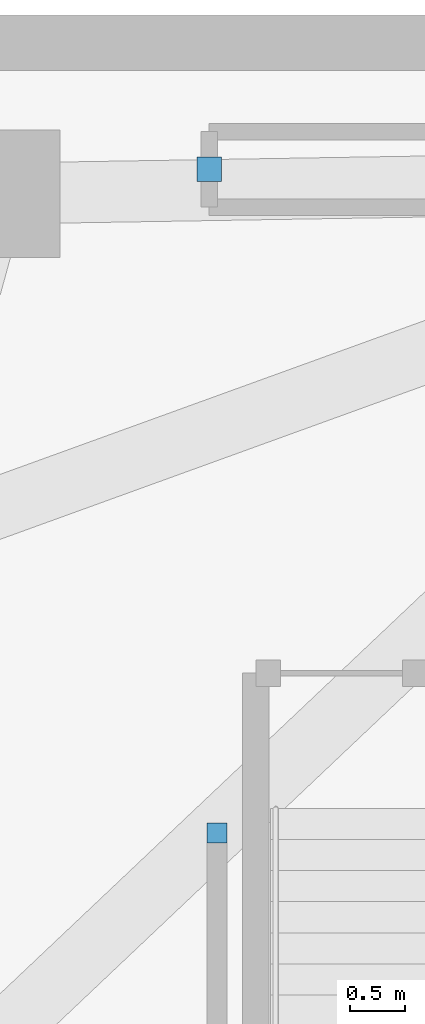
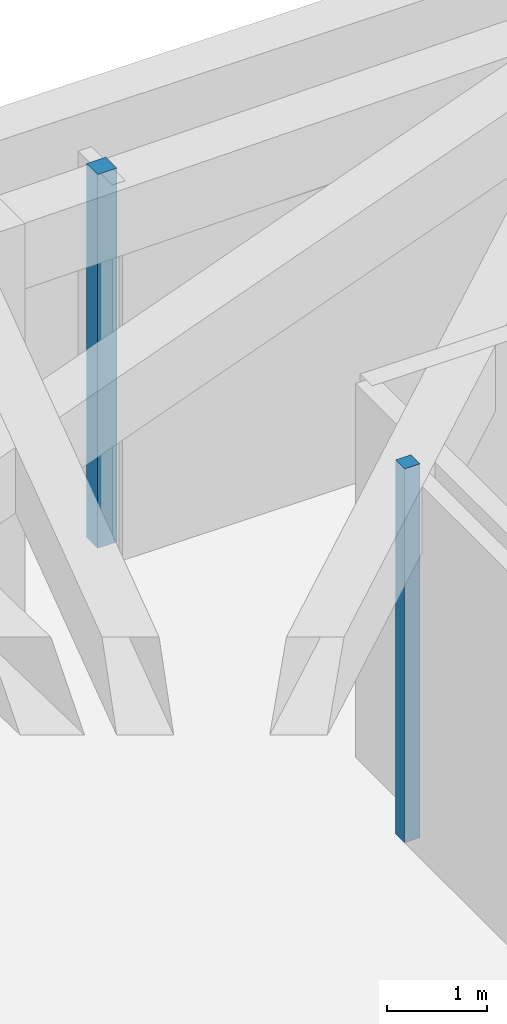
# One storey, part 3 of 11: 2 plates.
"""IFC4 building model written with IfcOpenShell, lengths in metres."""

from ifc_helpers import new_model, si_unit, direction, frame, origin, origin_2d, place, context, subcontext, project, spatial, rectangle, extrude, material, layer, layer_set, type_object, element, save


model = new_model("IFC4")

# Units and contexts
model_context = context("Model", 3, precision=1e-05, world=origin(), true_north=direction((0.0, 1.0)))
body_context = subcontext(model_context, "Body", "Model", "MODEL_VIEW")
ifc_project = project(units=[si_unit("LENGTHUNIT", "METRE"), si_unit("AREAUNIT", "SQUARE_METRE"), si_unit("VOLUMEUNIT", "CUBIC_METRE"), si_unit("PLANEANGLEUNIT", "RADIAN"), si_unit("MASSUNIT", "GRAM", prefix="KILO")], contexts=[model_context])

# Site, building, storey
site_placement = place(None, origin())
site = spatial("IfcSite", under=ifc_project, at=site_placement, CompositionType="ELEMENT")
building_placement = place(site_placement, origin())
building = spatial("IfcBuilding", under=site, at=building_placement, Name="Gaonmaruhae Medical Tower", CompositionType="ELEMENT")
storey_placement = place(building_placement, frame((0.0, 0.0, -4.800048828125)))
storey = spatial("IfcBuildingStorey", under=building, at=storey_placement, Name="B01", CompositionType="ELEMENT", Elevation=-4.800048828125)

# Plates
ifc_material = material(Name="Anodised aluminium 6063-T6", Category="aluminium")
ifc_layer = layer(ifc_material, 0.011962890625)
ifc_layer_set = layer_set([ifc_layer], Name="Anodised aluminium 6063-T6")
plate_type = type_object("IfcPlateType", Name="PP-01 Interior Partition Corner Stiffener Plate", PredefinedType="SHEET", material=ifc_layer_set)
plate_1_placement = place(storey_placement, frame((10.719970703125, 44.080078125, 0.0), z_axis=(0.0, 0.0, 1.0), x_axis=(0.0, 1.0, 0.0)))
element("IfcPlate", 1, at=plate_1_placement, inside=storey, type_object=plate_type, Name="B01 Partition End Jamb Post Plate PLT-B01-ENDP-PW018-1", PredefinedType="SHEET", context=body_context, shape_type="SweptSolid", body=[
    extrude(rectangle(XDim=0.179931640625, YDim=0.179931640625, at=origin_2d()), origin(), (0.0, 0.0, 1.0), 4.550048828125),
])
plate_2_placement = place(storey_placement, frame((10.64990234375, 50.06005859375, 0.0), z_axis=(0.0, 0.0, 1.0), x_axis=(0.0, 1.0, 0.0)))
element("IfcPlate", 2, at=plate_2_placement, inside=storey, type_object=plate_type, Name="B01 Partition Corner Stiffener Plate PLT-B01-JGP-PW021", PredefinedType="SHEET", context=body_context, shape_type="SweptSolid", body=[
    extrude(rectangle(XDim=0.219970703125, YDim=0.219970703125, at=origin_2d()), origin(), (0.0, 0.0, 1.0), 4.550048828125),
])

save(model, "model.ifc")
